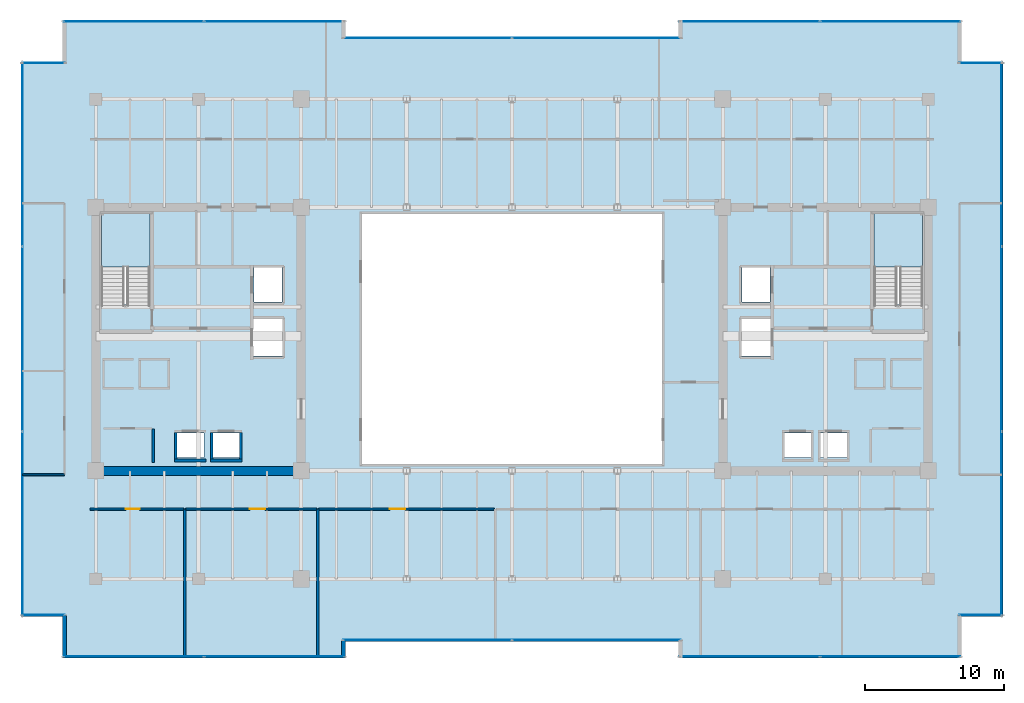
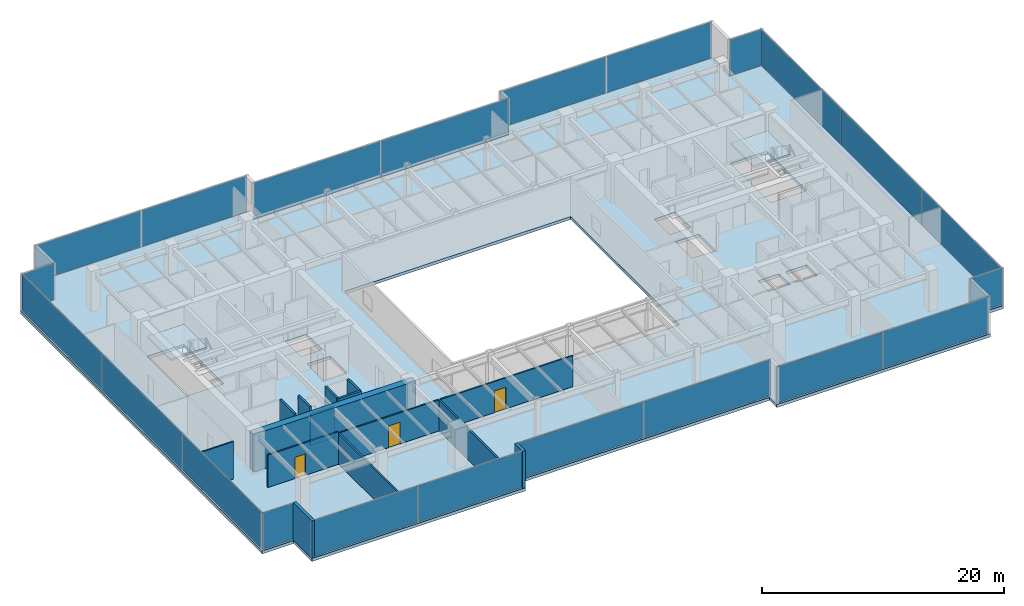
# One storey, part 24 of 30: 22 plates, 15 walls, 3 doors, 3 slabs, 3 openings, 14 elements without a shape of their own.
"""IFC4 building model written with IfcOpenShell, lengths in metres."""

from ifc_helpers import new_model, si_unit, direction, frame, frame_2d, origin, origin_2d, place, context, subcontext, project, spatial, polyline, rectangle, outline, extrude, source, transform, mapped, material, layer, layer_set, type_object, type_shapes, element, fill, aggregate, save


model = new_model("IFC4")

# Units and contexts
model_context = context("Model", 3, precision=1e-05, world=origin(), true_north=direction((0.0, 1.0)))
body_context = subcontext(model_context, "Body", "Model", "MODEL_VIEW")
ifc_project = project(units=[si_unit("LENGTHUNIT", "METRE"), si_unit("AREAUNIT", "SQUARE_METRE"), si_unit("VOLUMEUNIT", "CUBIC_METRE"), si_unit("PLANEANGLEUNIT", "RADIAN"), si_unit("MASSUNIT", "GRAM", prefix="KILO")], contexts=[model_context])

# Site, building, storey
site_placement = place(None, origin())
site = spatial("IfcSite", under=ifc_project, at=site_placement, CompositionType="ELEMENT")
building_placement = place(site_placement, origin())
building = spatial("IfcBuilding", under=site, at=building_placement, Name="Haelvirn Gate Laboratories", CompositionType="ELEMENT")
storey_placement = place(building_placement, frame((0.0, 0.0, 125.60009765625)))
storey = spatial("IfcBuildingStorey", under=building, at=storey_placement, Name="L30", CompositionType="ELEMENT", Elevation=125.60009765625)

# Stair, slab
ifc_material_1 = material(Name="Concrete C40/50", Category="concrete")
stair_type = type_object("IfcStairType", Name="ST-DOG-1650-R22", PredefinedType="HALF_TURN_STAIR", material=ifc_material_1)
stair_1_placement = place(storey_placement, origin())
stair_1 = element("IfcStair", 1, at=stair_1_placement, inside=storey, type_object=stair_type, Name="L30 Escape Stair ST1", PredefinedType="HALF_TURN_STAIR")
ifc_layer_1 = layer(ifc_material_1, 0.199951171875, Name="SL-STAIR-LND")
ifc_layer_set_1 = layer_set([ifc_layer_1], Name="Concrete C40/50")
slab_type_1 = type_object("IfcSlabType", Name="SL-STAIR-LND", PredefinedType="LANDING", material=ifc_layer_set_1)
slab_1_placement = place(storey_placement, frame((0.0, 0.0, 1.849853515625)))
slab_1 = element("IfcSlab", 2, at=slab_1_placement, type_object=slab_type_1, Name="ST1 landing 1", PredefinedType="LANDING", context=body_context, shape_type="SweptSolid", body=[
    extrude(outline(polyline([(11.300048828125, 29.5), (11.300048828125, 33.35009765625), (7.800048828125, 33.35009765625), (7.800048828125, 29.5), (11.300048828125, 29.5)])), origin(), (0.0, 0.0, 1.0), 0.199951171875),
])
aggregate(stair_1, [slab_1])

stair_2_placement = place(storey_placement, origin())
stair_2 = element("IfcStair", 3, at=stair_2_placement, inside=storey, type_object=stair_type, Name="L30 Escape Stair ST2", PredefinedType="HALF_TURN_STAIR")
slab_2_placement = place(storey_placement, frame((0.0, 0.0, 1.849853515625)))
slab_2 = element("IfcSlab", 4, at=slab_2_placement, type_object=slab_type_1, Name="ST2 landing 1", PredefinedType="LANDING", context=body_context, shape_type="SweptSolid", body=[
    extrude(outline(polyline([(67.0, 29.5), (67.0, 33.35009765625), (63.5, 33.35009765625), (63.5, 29.5), (67.0, 29.5)])), origin(), (0.0, 0.0, 1.0), 0.199951171875),
])
aggregate(stair_2, [slab_2])

# Slab
ifc_layer_2 = layer(ifc_material_1, 0.31005859375, Name="SL-Z2-310")
ifc_layer_set_2 = layer_set([ifc_layer_2], Name="Concrete C40/50")
slab_type_2 = type_object("IfcSlabType", Name="SL-Z2-310", PredefinedType="FLOOR", material=ifc_layer_set_2)
slab_3_placement = place(storey_placement, frame((0.0, 0.0, -0.31005859375)))
element("IfcSlab", 5, at=slab_3_placement, inside=storey, type_object=slab_type_2, Name="L30 Structural Slab MAIN", PredefinedType="FLOOR", context=body_context, shape_type="SweptSolid", body=[
    extrude(outline(polyline([(5.0, 1.300048828125), (25.39990234375, 1.300048828125), (25.39990234375, 2.5), (49.39990234375, 2.5), (49.39990234375, 1.300048828125), (69.800048828125, 1.300048828125), (69.800048828125, 4.300048828125), (72.800048828125, 4.300048828125), (72.800048828125, 44.300048828125), (69.800048828125, 44.300048828125), (69.800048828125, 47.300048828125), (49.39990234375, 47.300048828125), (49.39990234375, 46.10009765625), (25.39990234375, 46.10009765625), (25.39990234375, 47.300048828125), (5.0, 47.300048828125), (5.0, 44.300048828125), (2.0, 44.300048828125), (2.0, 4.300048828125), (5.0, 4.300048828125), (5.0, 1.300048828125)]), holes=[polyline([(26.60009765625, 15.300048828125), (48.199951171875, 15.300048828125), (48.199951171875, 33.300048828125), (26.60009765625, 33.300048828125), (26.60009765625, 15.300048828125)]), polyline([(11.300048828125, 26.780029296875), (11.300048828125, 33.35009765625), (7.800048828125, 33.35009765625), (7.800048828125, 26.780029296875), (11.300048828125, 26.780029296875)]), polyline([(67.0, 26.780029296875), (67.0, 33.35009765625), (63.5, 33.35009765625), (63.5, 26.780029296875), (67.0, 26.780029296875)]), polyline([(13.18994140625, 15.77001953125), (15.2099609375, 15.77001953125), (15.2099609375, 17.510009765625), (13.18994140625, 17.510009765625), (13.18994140625, 15.77001953125)]), polyline([(15.7900390625, 15.77001953125), (17.81005859375, 15.77001953125), (17.81005859375, 17.510009765625), (15.7900390625, 17.510009765625), (15.7900390625, 15.77001953125)]), polyline([(18.7900390625, 26.969970703125), (20.81005859375, 26.969970703125), (20.81005859375, 29.510009765625), (18.7900390625, 29.510009765625), (18.7900390625, 26.969970703125)]), polyline([(18.68994140625, 23.070068359375), (20.909912109375, 23.070068359375), (20.909912109375, 25.81005859375), (18.68994140625, 25.81005859375), (18.68994140625, 23.070068359375)]), polyline([(59.590087890625, 15.77001953125), (61.610107421875, 15.77001953125), (61.610107421875, 17.510009765625), (59.590087890625, 17.510009765625), (59.590087890625, 15.77001953125)]), polyline([(56.989990234375, 15.77001953125), (59.010009765625, 15.77001953125), (59.010009765625, 17.510009765625), (56.989990234375, 17.510009765625), (56.989990234375, 15.77001953125)]), polyline([(53.989990234375, 26.969970703125), (56.010009765625, 26.969970703125), (56.010009765625, 29.510009765625), (53.989990234375, 29.510009765625), (53.989990234375, 26.969970703125)]), polyline([(53.889892578125, 23.070068359375), (56.110107421875, 23.070068359375), (56.110107421875, 25.81005859375), (53.889892578125, 25.81005859375), (53.889892578125, 23.070068359375)])]), origin(), (0.0, 0.0, 1.0), 0.31005859375),
])

# Curtain wall, plates
ifc_material_2 = material(Name="Anodised bronze unitised aluminium & triple low-E glass", Category="aluminium")
ifc_layer_3 = layer(ifc_material_2, 0.179931640625, Name="CW-SYS-3")
ifc_layer_set_3 = layer_set([ifc_layer_3], Name="Anodised bronze unitised aluminium & triple low-E glass")
curtain_wall_type_1 = type_object("IfcCurtainWallType", Name="CW-SYS-3", PredefinedType="NOTDEFINED", material=ifc_layer_set_3)
curtain_wall_1_placement = place(storey_placement, origin())
curtain_wall_1 = element("IfcCurtainWall", 6, at=curtain_wall_1_placement, inside=storey, type_object=curtain_wall_type_1, Name="L30 Unitised Curtain Wall CW-L30-P0-E00-1", PredefinedType="NOTDEFINED")
ifc_material_3 = material(Name="High-selectivity bronze triple IGU 40 mm", Category="glass")
ifc_layer_4 = layer(ifc_material_3, 0.0400390625, Name="CWP-IGU-40")
ifc_layer_set_4 = layer_set([ifc_layer_4], Name="High-selectivity bronze triple IGU 40 mm")
plate_type_1 = type_object("IfcPlateType", Name="CWP-IGU-40", PredefinedType="CURTAIN_PANEL", material=ifc_layer_set_4)
shared_shape_1 = source(origin(), body_context, "Body", "SweptSolid", [
    extrude(rectangle(XDim=10.08740234375, YDim=0.0400390625, at=origin_2d()), origin(), (0.0, 0.0, 1.0), 3.659912109375),
])
plate_1_placement = place(storey_placement, frame((10.11865234375, 1.39990234375, 0.06494140625), z_axis=(0.0, 0.0, 1.0), x_axis=(1.0, 0.0, 0.0)))
plate_1 = element("IfcPlate", 7, at=plate_1_placement, type_object=plate_type_1, Name="CW3 panel 1.1", PredefinedType="CURTAIN_PANEL", context=body_context, shape_type="MappedRepresentation", body=[
    mapped(shared_shape_1, transform((0.0, 0.0, 0.0), scale=1.0)),
])
plate_2_placement = place(storey_placement, frame((20.28125, 1.39990234375, 0.06494140625), z_axis=(0.0, 0.0, 1.0), x_axis=(1.0, 0.0, 0.0)))
plate_2 = element("IfcPlate", 8, at=plate_2_placement, type_object=plate_type_1, Name="CW3 panel 2.1", PredefinedType="CURTAIN_PANEL", context=body_context, shape_type="MappedRepresentation", body=[
    mapped(shared_shape_1, transform((0.0, 0.0, 0.0), scale=1.0)),
])
aggregate(curtain_wall_1, [plate_1, plate_2])

curtain_wall_2_placement = place(storey_placement, origin())
curtain_wall_2 = element("IfcCurtainWall", 9, at=curtain_wall_2_placement, inside=storey, type_object=curtain_wall_type_1, Name="L30 Unitised Curtain Wall CW-L30-P0-E04-1", PredefinedType="NOTDEFINED")
plate_3_placement = place(storey_placement, frame((54.518798828125, 1.39990234375, 0.06494140625), z_axis=(0.0, 0.0, 1.0), x_axis=(1.0, 0.0, 0.0)))
plate_3 = element("IfcPlate", 10, at=plate_3_placement, type_object=plate_type_1, Name="CW3 panel 1.1", PredefinedType="CURTAIN_PANEL", context=body_context, shape_type="MappedRepresentation", body=[
    mapped(shared_shape_1, transform((0.0, 0.0, 0.0), scale=1.0)),
])
plate_4_placement = place(storey_placement, frame((64.68115234375, 1.39990234375, 0.06494140625), z_axis=(0.0, 0.0, 1.0), x_axis=(1.0, 0.0, 0.0)))
plate_4 = element("IfcPlate", 11, at=plate_4_placement, type_object=plate_type_1, Name="CW3 panel 2.1", PredefinedType="CURTAIN_PANEL", context=body_context, shape_type="MappedRepresentation", body=[
    mapped(shared_shape_1, transform((0.0, 0.0, 0.0), scale=1.0)),
])
aggregate(curtain_wall_2, [plate_3, plate_4])

curtain_wall_3_placement = place(storey_placement, origin())
curtain_wall_3 = element("IfcCurtainWall", 12, at=curtain_wall_3_placement, inside=storey, type_object=curtain_wall_type_1, Name="L30 Unitised Curtain Wall CW-L30-P0-E10-1", PredefinedType="NOTDEFINED")
plate_5_placement = place(storey_placement, frame((54.518798828125, 47.199951171875, 0.06494140625), z_axis=(0.0, 0.0, 1.0), x_axis=(1.0, 0.0, 0.0)))
plate_5 = element("IfcPlate", 13, at=plate_5_placement, type_object=plate_type_1, Name="CW3 panel 1.1", PredefinedType="CURTAIN_PANEL", context=body_context, shape_type="MappedRepresentation", body=[
    mapped(shared_shape_1, transform((0.0, 0.0, 0.0), scale=1.0)),
])
plate_6_placement = place(storey_placement, frame((64.68115234375, 47.199951171875, 0.06494140625), z_axis=(0.0, 0.0, 1.0), x_axis=(1.0, 0.0, 0.0)))
plate_6 = element("IfcPlate", 14, at=plate_6_placement, type_object=plate_type_1, Name="CW3 panel 2.1", PredefinedType="CURTAIN_PANEL", context=body_context, shape_type="MappedRepresentation", body=[
    mapped(shared_shape_1, transform((0.0, 0.0, 0.0), scale=1.0)),
])
aggregate(curtain_wall_3, [plate_5, plate_6])

curtain_wall_4_placement = place(storey_placement, origin())
curtain_wall_4 = element("IfcCurtainWall", 15, at=curtain_wall_4_placement, inside=storey, type_object=curtain_wall_type_1, Name="L30 Unitised Curtain Wall CW-L30-P0-E14-1", PredefinedType="NOTDEFINED")
plate_7_placement = place(storey_placement, frame((10.11865234375, 47.199951171875, 0.06494140625), z_axis=(0.0, 0.0, 1.0), x_axis=(1.0, 0.0, 0.0)))
plate_7 = element("IfcPlate", 16, at=plate_7_placement, type_object=plate_type_1, Name="CW3 panel 1.1", PredefinedType="CURTAIN_PANEL", context=body_context, shape_type="MappedRepresentation", body=[
    mapped(shared_shape_1, transform((0.0, 0.0, 0.0), scale=1.0)),
])
plate_8_placement = place(storey_placement, frame((20.28125, 47.199951171875, 0.06494140625), z_axis=(0.0, 0.0, 1.0), x_axis=(1.0, 0.0, 0.0)))
plate_8 = element("IfcPlate", 17, at=plate_8_placement, type_object=plate_type_1, Name="CW3 panel 2.1", PredefinedType="CURTAIN_PANEL", context=body_context, shape_type="MappedRepresentation", body=[
    mapped(shared_shape_1, transform((0.0, 0.0, 0.0), scale=1.0)),
])
aggregate(curtain_wall_4, [plate_7, plate_8])

curtain_wall_5_placement = place(storey_placement, origin())
curtain_wall_5 = element("IfcCurtainWall", 18, at=curtain_wall_5_placement, inside=storey, type_object=curtain_wall_type_1, Name="L30 Unitised Curtain Wall CW-L30-P0-E02-1", PredefinedType="NOTDEFINED")
shared_shape_2 = source(origin(), body_context, "Body", "SweptSolid", [
    extrude(rectangle(XDim=12.12744140625, YDim=0.0400390625, at=origin_2d()), origin(), (0.0, 0.0, 1.0), 3.659912109375),
])
plate_9_placement = place(storey_placement, frame((31.298828125, 2.60009765625, 0.06494140625), z_axis=(0.0, 0.0, 1.0), x_axis=(1.0, 0.0, 0.0)))
plate_9 = element("IfcPlate", 19, at=plate_9_placement, type_object=plate_type_1, Name="CW3 panel 1.1", PredefinedType="CURTAIN_PANEL", context=body_context, shape_type="MappedRepresentation", body=[
    mapped(shared_shape_2, transform((0.0, 0.0, 0.0), scale=1.0)),
])
plate_10_placement = place(storey_placement, frame((43.501220703125, 2.60009765625, 0.06494140625), z_axis=(0.0, 0.0, 1.0), x_axis=(1.0, 0.0, 0.0)))
plate_10 = element("IfcPlate", 20, at=plate_10_placement, type_object=plate_type_1, Name="CW3 panel 2.1", PredefinedType="CURTAIN_PANEL", context=body_context, shape_type="MappedRepresentation", body=[
    mapped(shared_shape_2, transform((0.0, 0.0, 0.0), scale=1.0)),
])
aggregate(curtain_wall_5, [plate_9, plate_10])

curtain_wall_6_placement = place(storey_placement, origin())
curtain_wall_6 = element("IfcCurtainWall", 21, at=curtain_wall_6_placement, inside=storey, type_object=curtain_wall_type_1, Name="L30 Unitised Curtain Wall CW-L30-P0-E12-1", PredefinedType="NOTDEFINED")
plate_11_placement = place(storey_placement, frame((31.298828125, 46.0, 0.06494140625), z_axis=(0.0, 0.0, 1.0), x_axis=(1.0, 0.0, 0.0)))
plate_11 = element("IfcPlate", 22, at=plate_11_placement, type_object=plate_type_1, Name="CW3 panel 1.1", PredefinedType="CURTAIN_PANEL", context=body_context, shape_type="MappedRepresentation", body=[
    mapped(shared_shape_2, transform((0.0, 0.0, 0.0), scale=1.0)),
])
plate_12_placement = place(storey_placement, frame((43.501220703125, 46.0, 0.06494140625), z_axis=(0.0, 0.0, 1.0), x_axis=(1.0, 0.0, 0.0)))
plate_12 = element("IfcPlate", 23, at=plate_12_placement, type_object=plate_type_1, Name="CW3 panel 2.1", PredefinedType="CURTAIN_PANEL", context=body_context, shape_type="MappedRepresentation", body=[
    mapped(shared_shape_2, transform((0.0, 0.0, 0.0), scale=1.0)),
])
aggregate(curtain_wall_6, [plate_11, plate_12])

# Curtain wall, plate
ifc_layer_5 = layer(ifc_material_2, 0.181884765625, Name="CW-SYS-5")
ifc_layer_set_5 = layer_set([ifc_layer_5], Name="Anodised bronze unitised aluminium & triple low-E glass")
curtain_wall_type_2 = type_object("IfcCurtainWallType", Name="CW-SYS-5", PredefinedType="NOTDEFINED", material=ifc_layer_set_5)
curtain_wall_7_placement = place(storey_placement, origin())
curtain_wall_7 = element("IfcCurtainWall", 24, at=curtain_wall_7_placement, inside=storey, type_object=curtain_wall_type_2, Name="L30 Unitised Curtain Wall CW-L30-P0-E06-1", PredefinedType="NOTDEFINED")
ifc_material_4 = material(Name="Clear low-iron notched-corner triple IGU 42 mm", Category="glass")
ifc_layer_6 = layer(ifc_material_4, 0.0419921875, Name="CWP-NTC-42")
ifc_layer_set_6 = layer_set([ifc_layer_6], Name="Clear low-iron notched-corner triple IGU 42 mm")
plate_type_2 = type_object("IfcPlateType", Name="CWP-NTC-42", PredefinedType="CURTAIN_PANEL", material=ifc_layer_set_6)
shared_shape_3 = source(origin(), body_context, "Body", "SweptSolid", [
    extrude(rectangle(XDim=3.080078125, YDim=0.0419921875, at=origin_2d()), origin(), (0.0, 0.0, 1.0), 3.659912109375),
])
type_shapes(plate_type_2, [shared_shape_3])
plate_13_placement = place(storey_placement, frame((71.179931640625, 4.39990234375, 0.06494140625), z_axis=(0.0, 0.0, 1.0), x_axis=(1.0, 0.0, 0.0)))
plate_13 = element("IfcPlate", 25, at=plate_13_placement, type_object=plate_type_2, Name="CW5 panel 1.1", PredefinedType="CURTAIN_PANEL", context=body_context, shape_type="MappedRepresentation", body=[
    mapped(shared_shape_3, transform((0.0, 0.0, 0.0), scale=1.0)),
])
aggregate(curtain_wall_7, [plate_13])

curtain_wall_8_placement = place(storey_placement, origin())
curtain_wall_8 = element("IfcCurtainWall", 26, at=curtain_wall_8_placement, inside=storey, type_object=curtain_wall_type_2, Name="L30 Unitised Curtain Wall CW-L30-P0-E08-1", PredefinedType="NOTDEFINED")
plate_14_placement = place(storey_placement, frame((71.179931640625, 44.199951171875, 0.06494140625), z_axis=(0.0, 0.0, 1.0), x_axis=(1.0, 0.0, 0.0)))
plate_14 = element("IfcPlate", 27, at=plate_14_placement, type_object=plate_type_2, Name="CW5 panel 1.1", PredefinedType="CURTAIN_PANEL", context=body_context, shape_type="MappedRepresentation", body=[
    mapped(shared_shape_3, transform((0.0, 0.0, 0.0), scale=1.0)),
])
aggregate(curtain_wall_8, [plate_14])

curtain_wall_9_placement = place(storey_placement, origin())
curtain_wall_9 = element("IfcCurtainWall", 28, at=curtain_wall_9_placement, inside=storey, type_object=curtain_wall_type_2, Name="L30 Unitised Curtain Wall CW-L30-P0-E16-1", PredefinedType="NOTDEFINED")
plate_15_placement = place(storey_placement, frame((3.6201171875, 44.199951171875, 0.06494140625), z_axis=(0.0, 0.0, 1.0), x_axis=(1.0, 0.0, 0.0)))
plate_15 = element("IfcPlate", 29, at=plate_15_placement, type_object=plate_type_2, Name="CW5 panel 1.1", PredefinedType="CURTAIN_PANEL", context=body_context, shape_type="MappedRepresentation", body=[
    mapped(shared_shape_3, transform((0.0, 0.0, 0.0), scale=1.0)),
])
aggregate(curtain_wall_9, [plate_15])

curtain_wall_10_placement = place(storey_placement, origin())
curtain_wall_10 = element("IfcCurtainWall", 30, at=curtain_wall_10_placement, inside=storey, type_object=curtain_wall_type_2, Name="L30 Unitised Curtain Wall CW-L30-P0-E18-1", PredefinedType="NOTDEFINED")
plate_16_placement = place(storey_placement, frame((3.6201171875, 4.39990234375, 0.06494140625), z_axis=(0.0, 0.0, 1.0), x_axis=(1.0, 0.0, 0.0)))
plate_16 = element("IfcPlate", 31, at=plate_16_placement, type_object=plate_type_2, Name="CW5 panel 1.1", PredefinedType="CURTAIN_PANEL", context=body_context, shape_type="MappedRepresentation", body=[
    mapped(shared_shape_3, transform((0.0, 0.0, 0.0), scale=1.0)),
])
aggregate(curtain_wall_10, [plate_16])

# Curtain wall, plates
curtain_wall_11_placement = place(storey_placement, origin())
curtain_wall_11 = element("IfcCurtainWall", 32, at=curtain_wall_11_placement, inside=storey, type_object=curtain_wall_type_1, Name="L30 Unitised Curtain Wall CW-L30-P0-E07", PredefinedType="NOTDEFINED")
shared_shape_4 = source(origin(), body_context, "Body", "SweptSolid", [
    extrude(rectangle(XDim=13.220947265625, YDim=0.0400390625, at=origin_2d()), origin(), (0.0, 0.0, 1.0), 3.659912109375),
])
plate_17_placement = place(storey_placement, frame((72.699951171875, 10.9853515625, 0.06494140625), z_axis=(0.0, 0.0, 1.0), x_axis=(0.0, 1.0, 0.0)))
plate_17 = element("IfcPlate", 33, at=plate_17_placement, type_object=plate_type_1, Name="CW3 panel 1.1", PredefinedType="CURTAIN_PANEL", context=body_context, shape_type="MappedRepresentation", body=[
    mapped(shared_shape_4, transform((0.0, 0.0, 0.0), scale=1.0)),
])
plate_18_placement = place(storey_placement, frame((72.699951171875, 37.614501953125, 0.06494140625), z_axis=(0.0, 0.0, 1.0), x_axis=(0.0, 1.0, 0.0)))
plate_18 = element("IfcPlate", 34, at=plate_18_placement, type_object=plate_type_1, Name="CW3 panel 3.1", PredefinedType="CURTAIN_PANEL", context=body_context, shape_type="MappedRepresentation", body=[
    mapped(shared_shape_4, transform((0.0, 0.0, 0.0), scale=1.0)),
])

curtain_wall_12_placement = place(storey_placement, origin())
curtain_wall_12 = element("IfcCurtainWall", 35, at=curtain_wall_12_placement, inside=storey, type_object=curtain_wall_type_1, Name="L30 Unitised Curtain Wall CW-L30-P0-E17", PredefinedType="NOTDEFINED")
plate_19_placement = place(storey_placement, frame((2.10009765625, 37.614501953125, 0.06494140625), z_axis=(0.0, 0.0, 1.0), x_axis=(0.0, -1.0, 0.0)))
plate_19 = element("IfcPlate", 36, at=plate_19_placement, type_object=plate_type_1, Name="CW3 panel 1.1", PredefinedType="CURTAIN_PANEL", context=body_context, shape_type="MappedRepresentation", body=[
    mapped(shared_shape_4, transform((0.0, 0.0, 0.0), scale=1.0)),
])
plate_20_placement = place(storey_placement, frame((2.10009765625, 10.9853515625, 0.06494140625), z_axis=(0.0, 0.0, 1.0), x_axis=(0.0, -1.0, 0.0)))
plate_20 = element("IfcPlate", 37, at=plate_20_placement, type_object=plate_type_1, Name="CW3 panel 3.1", PredefinedType="CURTAIN_PANEL", context=body_context, shape_type="MappedRepresentation", body=[
    mapped(shared_shape_4, transform((0.0, 0.0, 0.0), scale=1.0)),
])

# Plate
shared_shape_5 = source(origin(), body_context, "Body", "SweptSolid", [
    extrude(rectangle(XDim=13.25830078125, YDim=0.0400390625, at=origin_2d()), origin(), (0.0, 0.0, 1.0), 3.659912109375),
])
type_shapes(plate_type_1, [shared_shape_1, shared_shape_2, shared_shape_4, shared_shape_5])
plate_21_placement = place(storey_placement, frame((72.699951171875, 24.300048828125, 0.06494140625), z_axis=(0.0, 0.0, 1.0), x_axis=(0.0, 1.0, 0.0)))
plate_21 = element("IfcPlate", 38, at=plate_21_placement, type_object=plate_type_1, Name="CW3 panel 2.1", PredefinedType="CURTAIN_PANEL", context=body_context, shape_type="MappedRepresentation", body=[
    mapped(shared_shape_5, transform((0.0, 0.0, 0.0), scale=1.0)),
])

aggregate(curtain_wall_11, [plate_17, plate_21, plate_18])

plate_22_placement = place(storey_placement, frame((2.10009765625, 24.300048828125, 0.06494140625), z_axis=(0.0, 0.0, 1.0), x_axis=(0.0, -1.0, 0.0)))
plate_22 = element("IfcPlate", 39, at=plate_22_placement, type_object=plate_type_1, Name="CW3 panel 2.1", PredefinedType="CURTAIN_PANEL", context=body_context, shape_type="MappedRepresentation", body=[
    mapped(shared_shape_5, transform((0.0, 0.0, 0.0), scale=1.0)),
])

aggregate(curtain_wall_12, [plate_19, plate_22, plate_20])

# Walls
ifc_material_5 = material(Name="Thermally-broken bronze aluminium rainscreen & mineral wool", Category="aluminium")
ifc_layer_7 = layer(ifc_material_5, 0.280029296875, Name="EW-TERR-280")
ifc_layer_set_7 = layer_set([ifc_layer_7], Name="Thermally-broken bronze aluminium rainscreen & mineral wool")
wall_type_1 = type_object("IfcWallType", Name="EW-TERR-280", PredefinedType="STANDARD", material=ifc_layer_set_7)
wall_1_placement = place(storey_placement, frame((25.260009765625, 1.300048828125, 0.0), z_axis=(0.0, 0.0, 1.0), x_axis=(0.0, 1.0, 0.0)))
element("IfcWall", 40, at=wall_1_placement, inside=storey, type_object=wall_type_1, Name="L30 Atrium Recess Bronze Return Wall 01", PredefinedType="STANDARD", context=body_context, shape_type="SweptSolid", body=[
    extrude(rectangle(XDim=1.287841796875, YDim=0.280029296875, at=frame_2d((0.64404296875, 0.0))), origin(), (0.0, 0.0, 1.0), 3.789794921875),
])
wall_2_placement = place(storey_placement, frame((5.139892578125, 4.387939453125, 0.0), z_axis=(0.0, 0.0, 1.0), x_axis=(0.0, -1.0, 0.0)))
element("IfcWall", 41, at=wall_2_placement, inside=storey, type_object=wall_type_1, Name="L30 Atrium Recess Bronze Return Wall 19", PredefinedType="STANDARD", context=body_context, shape_type="SweptSolid", body=[
    extrude(rectangle(XDim=3.087890625, YDim=0.280029296875, at=frame_2d((1.5439453125, 0.0))), origin(), (0.0, 0.0, 1.0), 3.789794921875),
])
ifc_material_6 = material(Name="Double-layer acoustic gypsum laboratory partition", Category="gypsum")
ifc_layer_8 = layer(ifc_material_6, 0.159912109375, Name="IW-ACOUST-160")
ifc_layer_set_8 = layer_set([ifc_layer_8], Name="Double-layer acoustic gypsum laboratory partition")
wall_type_2 = type_object("IfcWallType", Name="IW-ACOUST-160", PredefinedType="PARTITIONING", material=ifc_layer_set_8)
for number, where, z_axis, x_axis, name in (
    (42, (13.800048828125, 1.409912109375, 0.0), (0.0, 0.0, 1.0), (0.0, 1.0, 0.0), "L30 Interior Wall IW-L30-SDIV-01"),
    (43, (23.39990234375, 1.409912109375, 0.0), (0.0, 0.0, 1.0), (0.0, 1.0, 0.0), "L30 Interior Wall IW-L30-SDIV-02"),
):
    element("IfcWall", number, at=place(storey_placement, frame(where, z_axis=z_axis, x_axis=x_axis)), inside=storey, type_object=wall_type_2, Name=name, PredefinedType="PARTITIONING", context=body_context, shape_type="SweptSolid", body=[
        extrude(rectangle(XDim=10.630126953125, YDim=0.159912109375, at=frame_2d((5.31494140625, 0.0))), origin(), (0.0, 0.0, 1.0), 3.074951171875),
    ])
ifc_material_7 = material(Name="Lightweight acoustic gypsum board partition", Category="gypsum")
ifc_layer_9 = layer(ifc_material_7, 0.1201171875, Name="IW-PART-120")
ifc_layer_set_9 = layer_set([ifc_layer_9], Name="Lightweight acoustic gypsum board partition")
wall_type_3 = type_object("IfcWallType", Name="IW-PART-120", PredefinedType="PARTITIONING", material=ifc_layer_set_9)
wall_3_placement = place(storey_placement, frame((2.110107421875, 14.514892578125, 0.0), z_axis=(0.0, 0.0, 1.0), x_axis=(1.0, 0.0, 0.0)))
element("IfcWall", 44, at=wall_3_placement, inside=storey, type_object=wall_type_3, Name="L30 Interior Wall IW-L30-WCAP-S", PredefinedType="PARTITIONING", context=body_context, shape_type="SweptSolid", body=[
    extrude(rectangle(XDim=3.019775390625, YDim=0.1201171875, at=frame_2d((1.509765625, 0.0))), origin(), (0.0, 0.0, 1.0), 3.789794921875),
])

# Wall, opening, door
ifc_material_8 = material(Name="Acoustic mineral-wool gypsum board partition", Category="gypsum")
ifc_layer_10 = layer(ifc_material_8, 0.139892578125, Name="IW-PART-140")
ifc_layer_set_10 = layer_set([ifc_layer_10], Name="Acoustic mineral-wool gypsum board partition")
wall_type_4 = type_object("IfcWallType", Name="IW-PART-140", PredefinedType="PARTITIONING", material=ifc_layer_set_10)
wall_4_placement = place(storey_placement, frame((6.97998046875, 12.0400390625, 0.0), z_axis=(0.0, 0.0, 1.0), x_axis=(1.0, 0.0, 0.0)))
wall_4 = element("IfcWall", 45, at=wall_4_placement, inside=storey, type_object=wall_type_4, Name="L30 Interior Wall IW-L30-SCORR-01", PredefinedType="PARTITIONING", context=body_context, shape_type="SweptSolid", body=[
    extrude(rectangle(XDim=6.739990234375, YDim=0.139892578125, at=frame_2d((3.3701171875, 0.0))), origin(), (0.0, 0.0, 1.0), 3.27490234375),
])
opening_1_placement = place(wall_4_placement, frame((2.567626953125, 0.0, 0.0)))
opening_1 = element("IfcOpeningElement", 46, at=opening_1_placement, cuts=wall_4, Name="Opening D2", PredefinedType="OPENING", context=body_context, shape_type="SweptSolid", body=[
    extrude(rectangle(XDim=1.0, YDim=2.14990234375, at=frame_2d((0.5, 1.074951171875))), frame((0.0, 0.080078125, 0.0), z_axis=(0.0, -1.0, 0.0), x_axis=(1.0, 0.0, 0.0)), (0.0, 0.0, 1.0), 0.159912109375),
])
ifc_material_9 = material(Name="Acoustic solid-core timber suite door", Category="wood")
door_type_1 = type_object("IfcDoorType", Name="DR-INT-1000", OperationType="NOTDEFINED", PredefinedType="DOOR", material=ifc_material_9)
shared_shape_6 = source(origin(), body_context, "Body", "SweptSolid", [
    extrude(rectangle(XDim=1.0, YDim=2.14990234375, at=frame_2d((0.5, 1.074951171875))), frame((0.0, 0.02490234375, 0.0), z_axis=(0.0, -1.0, 0.0), x_axis=(1.0, 0.0, 0.0)), (0.0, 0.0, 1.0), 0.050048828125),
])
type_shapes(door_type_1, [shared_shape_6])
door_1_placement = place(opening_1_placement, origin())
door_1 = element("IfcDoor", 47, at=door_1_placement, inside=storey, type_object=door_type_1, Name="L30 Peer-Review Seminar Room Door S1", OperationType="SINGLE_SWING_LEFT", OverallHeight=2.14990234375, OverallWidth=1.0, PredefinedType="DOOR", context=body_context, shape_type="MappedRepresentation", body=[
    mapped(shared_shape_6, transform((0.0, 0.0, 0.0), scale=1.0)),
])
fill(opening_1, door_1)

wall_5_placement = place(storey_placement, frame((13.8798828125, 12.0400390625, 0.0), z_axis=(0.0, 0.0, 1.0), x_axis=(1.0, 0.0, 0.0)))
wall_5 = element("IfcWall", 48, at=wall_5_placement, inside=storey, type_object=wall_type_4, Name="L30 Interior Wall IW-L30-SCORR-02", PredefinedType="PARTITIONING", context=body_context, shape_type="SweptSolid", body=[
    extrude(rectangle(XDim=9.440185546875, YDim=0.139892578125, at=frame_2d((4.72021484375, 0.0))), origin(), (0.0, 0.0, 1.0), 3.125),
])
opening_2_placement = place(wall_5_placement, frame((4.62841796875, 0.0, 0.0)))
opening_2 = element("IfcOpeningElement", 49, at=opening_2_placement, cuts=wall_5, Name="Opening D1", PredefinedType="OPENING", context=body_context, shape_type="SweptSolid", body=[
    extrude(rectangle(XDim=1.10009765625, YDim=2.179931640625, at=frame_2d((0.550048828125, 1.08984375))), frame((0.0, 0.080078125, 0.0), z_axis=(0.0, -1.0, 0.0), x_axis=(1.0, 0.0, 0.0)), (0.0, 0.0, 1.0), 0.159912109375),
])
ifc_material_10 = material(Name="Vision-panel acoustic solid-core timber lab door", Category="wood")
door_type_2 = type_object("IfcDoorType", Name="DR-LAB-1100", OperationType="NOTDEFINED", PredefinedType="DOOR", material=ifc_material_10)
shared_shape_7 = source(origin(), body_context, "Body", "SweptSolid", [
    extrude(rectangle(XDim=1.10009765625, YDim=2.179931640625, at=frame_2d((0.550048828125, 1.08984375))), frame((0.0, 0.02490234375, 0.0), z_axis=(0.0, -1.0, 0.0), x_axis=(1.0, 0.0, 0.0)), (0.0, 0.0, 1.0), 0.050048828125),
])
type_shapes(door_type_2, [shared_shape_7])
door_2_placement = place(opening_2_placement, origin())
door_2 = element("IfcDoor", 50, at=door_2_placement, inside=storey, type_object=door_type_2, Name="L30 Colloquium Conference Room Door S2", OperationType="SINGLE_SWING_RIGHT", OverallHeight=2.179931640625, OverallWidth=1.10009765625, PredefinedType="DOOR", context=body_context, shape_type="MappedRepresentation", body=[
    mapped(shared_shape_7, transform((0.0, 0.0, 0.0), scale=1.0)),
])
fill(opening_2, door_2)

wall_6_placement = place(storey_placement, frame((23.47998046875, 12.0400390625, 0.0), z_axis=(0.0, 0.0, 1.0), x_axis=(1.0, 0.0, 0.0)))
wall_6 = element("IfcWall", 51, at=wall_6_placement, inside=storey, type_object=wall_type_4, Name="L30 Interior Wall IW-L30-SCORR-03", PredefinedType="PARTITIONING", context=body_context, shape_type="SweptSolid", body=[
    extrude(rectangle(XDim=12.64013671875, YDim=0.139892578125, at=frame_2d((6.320068359375, 0.0))), origin(), (0.0, 0.0, 1.0), 3.125),
])
opening_3_placement = place(wall_6_placement, frame((5.11962890625, 0.0, 0.0)))
opening_3 = element("IfcOpeningElement", 52, at=opening_3_placement, cuts=wall_6, Name="Opening D1", PredefinedType="OPENING", context=body_context, shape_type="SweptSolid", body=[
    extrude(rectangle(XDim=1.10009765625, YDim=2.179931640625, at=frame_2d((0.550048828125, 1.08984375))), frame((0.0, 0.080078125, 0.0), z_axis=(0.0, -1.0, 0.0), x_axis=(1.0, 0.0, 0.0)), (0.0, 0.0, 1.0), 0.159912109375),
])
door_3_placement = place(opening_3_placement, origin())
door_3 = element("IfcDoor", 53, at=door_3_placement, inside=storey, type_object=door_type_2, Name="L30 Cryo-EM Imaging Suite Door S3", OperationType="SINGLE_SWING_LEFT", OverallHeight=2.179931640625, OverallWidth=1.10009765625, PredefinedType="DOOR", context=body_context, shape_type="MappedRepresentation", body=[
    mapped(shared_shape_7, transform((0.0, 0.0, 0.0), scale=1.0)),
])
fill(opening_3, door_3)

# Walls
ifc_layer_11 = layer(ifc_material_1, 0.179931640625, Name="IW-SHAFT-180")
ifc_layer_set_11 = layer_set([ifc_layer_11], Name="Concrete C40/50")
wall_type_5 = type_object("IfcWallType", Name="IW-SHAFT-180", PredefinedType="SOLIDWALL", material=ifc_layer_set_11)
for number, where, z_axis, x_axis, name in (
    (54, (13.14990234375, 15.64990234375, 0.0), (0.0, 0.0, 1.0), (0.0, 1.0, 0.0), "L30 Interior Wall IW-L30-PL5-SD"),
    (55, (15.75, 15.64990234375, 0.0), (0.0, 0.0, 1.0), (0.0, 1.0, 0.0), "L30 Interior Wall IW-L30-PL6-SD"),
    (56, (17.85009765625, 15.64990234375, 0.0), (0.0, 0.0, 1.0), (0.0, 1.0, 0.0), "L30 Interior Wall IW-L30-PL6-SDE"),
):
    element("IfcWall", number, at=place(storey_placement, frame(where, z_axis=z_axis, x_axis=x_axis)), inside=storey, type_object=wall_type_5, Name=name, PredefinedType="SOLIDWALL", context=body_context, shape_type="SweptSolid", body=[
        extrude(rectangle(XDim=1.900146484375, YDim=0.179931640625, at=frame_2d((0.9501953125, 0.0))), origin(), (0.0, 0.0, 1.0), 3.789794921875),
    ])
wall_7_placement = place(storey_placement, frame((11.5400390625, 15.39990234375, 0.0), z_axis=(0.0, 0.0, 1.0), x_axis=(0.0, 1.0, 0.0)))
element("IfcWall", 57, at=wall_7_placement, inside=storey, type_object=wall_type_5, Name="L30 Interior Wall IW-L30-W-FREED-LE-1", PredefinedType="SOLIDWALL", context=body_context, shape_type="SweptSolid", body=[
    extrude(rectangle(XDim=2.400146484375, YDim=0.179931640625, at=frame_2d((1.2001953125, 0.0))), origin(), (0.0, 0.0, 1.0), 3.789794921875),
])
ifc_layer_12 = layer(ifc_material_1, 0.199951171875, Name="IW-SHAFT-200")
ifc_layer_set_12 = layer_set([ifc_layer_12], Name="Concrete C40/50")
wall_type_6 = type_object("IfcWallType", Name="IW-SHAFT-200", PredefinedType="SOLIDWALL", material=ifc_layer_set_12)
wall_8_placement = place(storey_placement, frame((13.070068359375, 15.550048828125, 0.0), z_axis=(0.0, 0.0, 1.0), x_axis=(1.0, 0.0, 0.0)))
element("IfcWall", 58, at=wall_8_placement, inside=storey, type_object=wall_type_6, Name="L30 Interior Wall IW-L30-PL5-BK", PredefinedType="SOLIDWALL", context=body_context, shape_type="SweptSolid", body=[
    extrude(rectangle(XDim=2.260009765625, YDim=0.199951171875, at=frame_2d((1.1298828125, 0.0))), origin(), (0.0, 0.0, 1.0), 3.125),
])
wall_9_placement = place(storey_placement, frame((15.669921875, 15.550048828125, 0.0), z_axis=(0.0, 0.0, 1.0), x_axis=(1.0, 0.0, 0.0)))
element("IfcWall", 59, at=wall_9_placement, inside=storey, type_object=wall_type_6, Name="L30 Interior Wall IW-L30-PL6-BK", PredefinedType="SOLIDWALL", context=body_context, shape_type="SweptSolid", body=[
    extrude(rectangle(XDim=2.260009765625, YDim=0.199951171875, at=frame_2d((1.1298828125, 0.0))), origin(), (0.0, 0.0, 1.0), 3.789794921875),
])
ifc_material_11 = material(Name="Concrete C60/75", Category="concrete")
ifc_layer_13 = layer(ifc_material_11, 0.64990234375, Name="SW-CORE-650")
ifc_layer_set_13 = layer_set([ifc_layer_13], Name="Concrete C60/75")
wall_type_7 = type_object("IfcWallType", Name="SW-CORE-650", PredefinedType="SHEAR", material=ifc_layer_set_13)
wall_10_placement = place(storey_placement, frame((7.074951171875, 14.800048828125, 0.0), z_axis=(0.0, 0.0, 1.0), x_axis=(1.0, 0.0, 0.0)))
element("IfcWall", 60, at=wall_10_placement, inside=storey, type_object=wall_type_7, Name="L30 W Core Shear Wall S", PredefinedType="SHEAR", context=body_context, shape_type="SweptSolid", body=[
    extrude(rectangle(XDim=15.449951171875, YDim=0.64990234375, at=frame_2d((7.72509765625, 0.0))), origin(), (0.0, 0.0, 1.0), 3.789794921875),
])

save(model, "model.ifc")
